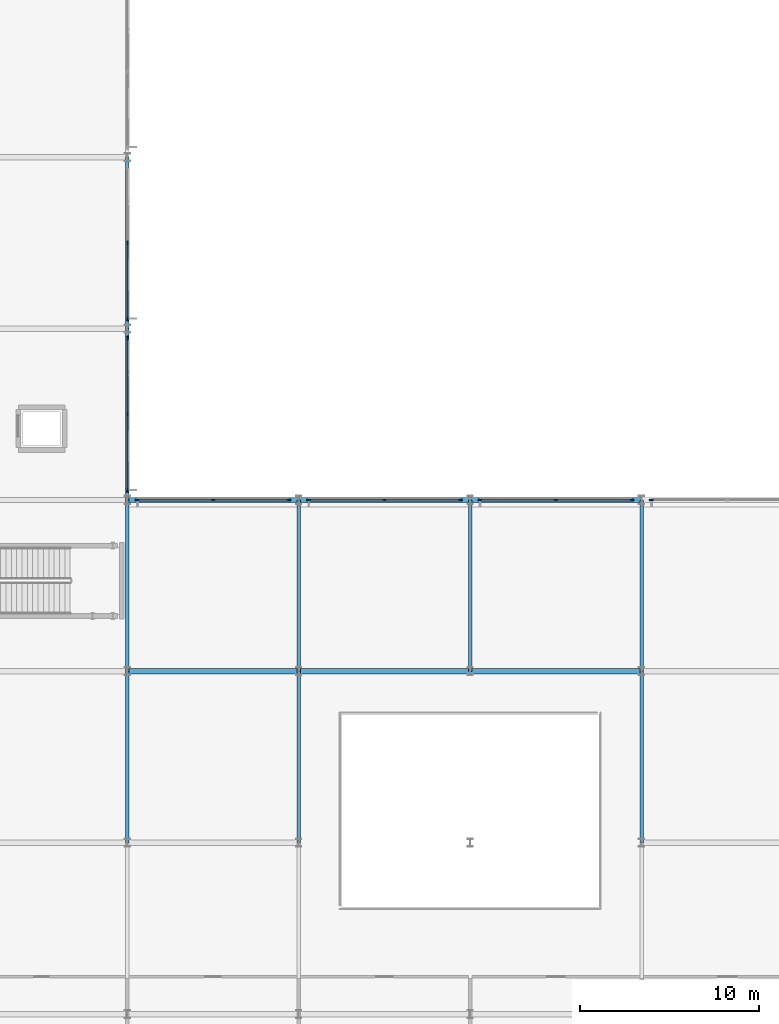
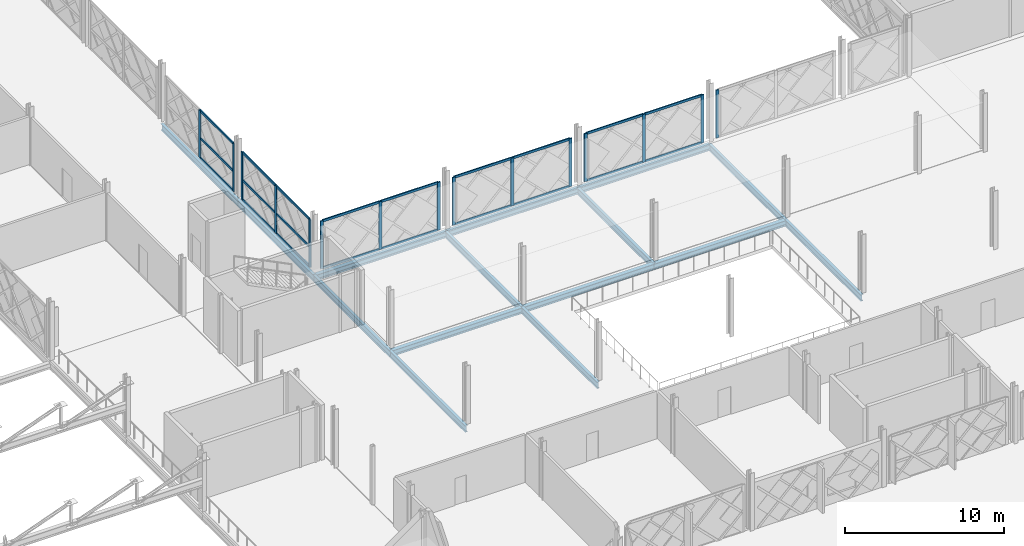
# One storey, part 40 of 101: 36 members, 15 beams, 6 elements without a shape of their own.
"""IFC4 building model written with IfcOpenShell, lengths in metres."""

from ifc_helpers import new_model, si_unit, direction, frame, origin, origin_2d, place, context, subcontext, project, spatial, rectangle, i_section, extrude, material, layer, layer_set, material_profile, profile_set, type_object, element, aggregate, save


model = new_model("IFC4")

# Units and contexts
model_context = context("Model", 3, precision=1e-05, world=origin(), true_north=direction((0.0, 1.0)))
body_context = subcontext(model_context, "Body", "Model", "MODEL_VIEW")
ifc_project = project(units=[si_unit("LENGTHUNIT", "METRE"), si_unit("AREAUNIT", "SQUARE_METRE"), si_unit("VOLUMEUNIT", "CUBIC_METRE"), si_unit("PLANEANGLEUNIT", "RADIAN"), si_unit("MASSUNIT", "GRAM", prefix="KILO")], contexts=[model_context])

# Site, building, storey
site_placement = place(None, origin())
site = spatial("IfcSite", under=ifc_project, at=site_placement, CompositionType="ELEMENT")
building_placement = place(site_placement, origin())
building = spatial("IfcBuilding", under=site, at=building_placement, Name="Zevrakil Square Congress Hotel", CompositionType="ELEMENT")
storey_placement = place(building_placement, frame((0.0, 0.0, 5.39990234375)))
storey = spatial("IfcBuildingStorey", under=building, at=storey_placement, Name="L02", CompositionType="ELEMENT", Elevation=5.39990234375)

# Beams
ifc_material_1 = material(Name="Steel S355", Category="steel")
ifc_material_profile_1 = material_profile(ifc_material_1, i_section(OverallWidth=0.300048828125, OverallDepth=0.43994140625, WebThickness=0.011474609375, FlangeThickness=0.02099609375, FilletRadius=0.027099609375, at=origin_2d()), Name="HEA 450")
ifc_profile_set_1 = profile_set([ifc_material_profile_1], Name="Steel S355")
beam_type_1 = type_object("IfcBeamType", Name="BM-HEA450", PredefinedType="BEAM", material=ifc_profile_set_1)
beam_1_placement = place(storey_placement, frame((64.800048828125, 36.0, -0.47998046875), z_axis=(1.0, 0.0, 0.0), x_axis=(0.0, 1.0, 0.0)))
element("IfcBeam", 1, at=beam_1_placement, inside=storey, type_object=beam_type_1, Name="L02 primary girder BX-0721", PredefinedType="BEAM", context=body_context, shape_type="SweptSolid", body=[
    extrude(i_section(OverallWidth=0.300048828125, OverallDepth=0.43994140625, WebThickness=0.011474609375, FlangeThickness=0.02099609375, FilletRadius=0.027099609375, at=origin_2d()), origin(), (0.0, 0.0, 1.0), 9.599853515625),
])
for number, where, z_axis, x_axis, name in (
    (2, (74.39990234375, 36.0, -0.47998046875), (1.0, 0.0, 0.0), (0.0, 1.0, 0.0), "L02 primary girder BX-0722"),
    (3, (84.0, 36.0, -0.47998046875), (1.0, 0.0, 0.0), (0.0, 1.0, 0.0), "L02 primary girder BX-0723"),
):
    element("IfcBeam", number, at=place(storey_placement, frame(where, z_axis=z_axis, x_axis=x_axis)), inside=storey, type_object=beam_type_1, Name=name, PredefinedType="BEAM", context=body_context, shape_type="SweptSolid", body=[
        extrude(i_section(OverallWidth=0.300048828125, OverallDepth=0.43994140625, WebThickness=0.011474609375, FlangeThickness=0.02099609375, FilletRadius=0.027099609375, at=origin_2d()), origin(), (0.0, 0.0, 1.0), 9.60009765625),
    ])
beam_2_placement = place(storey_placement, frame((64.800048828125, 45.60009765625, -0.47998046875), z_axis=(1.0, 0.0, 0.0), x_axis=(0.0, 1.0, 0.0)))
element("IfcBeam", 4, at=beam_2_placement, inside=storey, type_object=beam_type_1, Name="L02 primary girder BX-0738", PredefinedType="BEAM", context=body_context, shape_type="SweptSolid", body=[
    extrude(i_section(OverallWidth=0.300048828125, OverallDepth=0.43994140625, WebThickness=0.011474609375, FlangeThickness=0.02099609375, FilletRadius=0.027099609375, at=origin_2d()), origin(), (0.0, 0.0, 1.0), 9.599853515625),
])
for number, where, z_axis, x_axis, name in (
    (5, (74.39990234375, 45.60009765625, -0.47998046875), (1.0, 0.0, 0.0), (0.0, 1.0, 0.0), "L02 primary girder BX-0739"),
    (6, (84.0, 45.60009765625, -0.47998046875), (1.0, 0.0, 0.0), (0.0, 1.0, 0.0), "L02 primary girder BX-0740"),
):
    element("IfcBeam", number, at=place(storey_placement, frame(where, z_axis=z_axis, x_axis=x_axis)), inside=storey, type_object=beam_type_1, Name=name, PredefinedType="BEAM", context=body_context, shape_type="SweptSolid", body=[
        extrude(i_section(OverallWidth=0.300048828125, OverallDepth=0.43994140625, WebThickness=0.011474609375, FlangeThickness=0.02099609375, FilletRadius=0.027099609375, at=origin_2d()), origin(), (0.0, 0.0, 1.0), 9.60009765625),
    ])
ifc_material_2 = material(Name="Steel S355", Category="steel")
ifc_material_profile_2 = material_profile(ifc_material_2, i_section(OverallWidth=0.199951171875, OverallDepth=0.5, WebThickness=0.01025390625, FlangeThickness=0.01611328125, FilletRadius=0.02099609375, at=origin_2d()), Name="IPE 500")
ifc_profile_set_2 = profile_set([ifc_material_profile_2], Name="Steel S355")
beam_type_2 = type_object("IfcBeamType", Name="BM-IPE500", PredefinedType="BEAM", material=ifc_profile_set_2)
for number, where, z_axis, x_axis, name in (
    (7, (64.800048828125, 26.39990234375, -0.510009765625), (0.0, 1.0, 0.0), (-1.0, 0.0, 0.0), "L02 primary girder BY-0869"),
    (8, (64.800048828125, 36.0, -0.510009765625), (0.0, 1.0, 0.0), (-1.0, 0.0, 0.0), "L02 primary girder BY-0870"),
):
    element("IfcBeam", number, at=place(storey_placement, frame(where, z_axis=z_axis, x_axis=x_axis)), inside=storey, type_object=beam_type_2, Name=name, PredefinedType="BEAM", context=body_context, shape_type="SweptSolid", body=[
        extrude(i_section(OverallWidth=0.199951171875, OverallDepth=0.5, WebThickness=0.01025390625, FlangeThickness=0.01611328125, FilletRadius=0.02099609375, at=origin_2d()), origin(), (0.0, 0.0, 1.0), 9.60009765625),
    ])
beam_3_placement = place(storey_placement, frame((64.800048828125, 45.60009765625, -0.510009765625), z_axis=(0.0, 1.0, 0.0), x_axis=(-1.0, 0.0, 0.0)))
element("IfcBeam", 9, at=beam_3_placement, inside=storey, type_object=beam_type_2, Name="L02 primary girder BY-0871", PredefinedType="BEAM", context=body_context, shape_type="SweptSolid", body=[
    extrude(i_section(OverallWidth=0.199951171875, OverallDepth=0.5, WebThickness=0.01025390625, FlangeThickness=0.01611328125, FilletRadius=0.02099609375, at=origin_2d()), origin(), (0.0, 0.0, 1.0), 9.599853515625),
])
for number, where, z_axis, x_axis, name in (
    (10, (64.800048828125, 55.199951171875, -0.510009765625), (0.0, 1.0, 0.0), (-1.0, 0.0, 0.0), "L02 primary girder BY-0872"),
    (11, (74.39990234375, 26.39990234375, -0.510009765625), (0.0, 1.0, 0.0), (-1.0, 0.0, 0.0), "L02 primary girder BY-0881"),
    (12, (74.39990234375, 36.0, -0.510009765625), (0.0, 1.0, 0.0), (-1.0, 0.0, 0.0), "L02 primary girder BY-0882"),
    (13, (84.0, 36.0, -0.510009765625), (0.0, 1.0, 0.0), (-1.0, 0.0, 0.0), "L02 primary girder BY-0888"),
    (14, (93.60009765625, 26.39990234375, -0.510009765625), (0.0, 1.0, 0.0), (-1.0, 0.0, 0.0), "L02 primary girder BY-0895"),
    (15, (93.60009765625, 36.0, -0.510009765625), (0.0, 1.0, 0.0), (-1.0, 0.0, 0.0), "L02 primary girder BY-0896"),
):
    element("IfcBeam", number, at=place(storey_placement, frame(where, z_axis=z_axis, x_axis=x_axis)), inside=storey, type_object=beam_type_2, Name=name, PredefinedType="BEAM", context=body_context, shape_type="SweptSolid", body=[
        extrude(i_section(OverallWidth=0.199951171875, OverallDepth=0.5, WebThickness=0.01025390625, FlangeThickness=0.01611328125, FilletRadius=0.02099609375, at=origin_2d()), origin(), (0.0, 0.0, 1.0), 9.60009765625),
    ])

# Curtain wall, members
ifc_material_3 = material(Name="Aluminium Anodised Bronze", Category="aluminium")
ifc_layer = layer(ifc_material_3, 0.179931640625)
ifc_layer_set = layer_set([ifc_layer], Name="Aluminium Anodised Bronze")
curtain_wall_type = type_object("IfcCurtainWallType", Name="CW-L02-840", PredefinedType="USERDEFINED", material=ifc_layer_set)
curtain_wall_1_placement = place(storey_placement, origin())
curtain_wall_1 = element("IfcCurtainWall", 16, at=curtain_wall_1_placement, inside=storey, type_object=curtain_wall_type, Name="L02 diamond curtain wall CW-L02-0099", ObjectType="GLAZED CURTAIN WALL", PredefinedType="USERDEFINED")
ifc_material_4 = material(Name="Aluminium Anodised Bronze", Category="aluminium")
ifc_material_profile_3 = material_profile(ifc_material_4, rectangle(XDim=0.0849609375, YDim=0.179931640625, at=origin_2d()), Name="ALU 85x180")
ifc_profile_set_3 = profile_set([ifc_material_profile_3], Name="Aluminium Anodised Bronze")
member_type_1 = type_object("IfcMemberType", Name="CWM-ALU85x180", PredefinedType="USERDEFINED", material=ifc_profile_set_3)
member_1_placement = place(storey_placement, frame((65.3798828125, 45.60009765625, 0.030029296875), z_axis=(1.0, 0.0, 0.0), x_axis=(0.0, 1.0, 0.0)))
member_1 = element("IfcMember", 17, at=member_1_placement, type_object=member_type_1, Name="CW-23 transom 1.1", ObjectType="TRANSOM", PredefinedType="USERDEFINED", context=body_context, shape_type="SweptSolid", body=[
    extrude(rectangle(XDim=0.0849609375, YDim=0.179931640625, at=origin_2d()), origin(), (0.0, 0.0, 1.0), 4.190185546875),
])
member_2_placement = place(storey_placement, frame((65.3798828125, 45.60009765625, 3.655029296875), z_axis=(1.0, 0.0, 0.0), x_axis=(0.0, 1.0, 0.0)))
member_2 = element("IfcMember", 18, at=member_2_placement, type_object=member_type_1, Name="CW-23 transom 1.2", ObjectType="TRANSOM", PredefinedType="USERDEFINED", context=body_context, shape_type="SweptSolid", body=[
    extrude(rectangle(XDim=0.0849609375, YDim=0.179931640625, at=origin_2d()), origin(), (0.0, 0.0, 1.0), 4.190185546875),
])
member_3_placement = place(storey_placement, frame((69.6298828125, 45.60009765625, 0.030029296875), z_axis=(1.0, 0.0, 0.0), x_axis=(0.0, 1.0, 0.0)))
member_3 = element("IfcMember", 19, at=member_3_placement, type_object=member_type_1, Name="CW-23 transom 2.1", ObjectType="TRANSOM", PredefinedType="USERDEFINED", context=body_context, shape_type="SweptSolid", body=[
    extrude(rectangle(XDim=0.0849609375, YDim=0.179931640625, at=origin_2d()), origin(), (0.0, 0.0, 1.0), 4.190185546875),
])
member_4_placement = place(storey_placement, frame((69.6298828125, 45.60009765625, 3.655029296875), z_axis=(1.0, 0.0, 0.0), x_axis=(0.0, 1.0, 0.0)))
member_4 = element("IfcMember", 20, at=member_4_placement, type_object=member_type_1, Name="CW-23 transom 2.2", ObjectType="TRANSOM", PredefinedType="USERDEFINED", context=body_context, shape_type="SweptSolid", body=[
    extrude(rectangle(XDim=0.0849609375, YDim=0.179931640625, at=origin_2d()), origin(), (0.0, 0.0, 1.0), 4.190185546875),
])

curtain_wall_2_placement = place(storey_placement, origin())
curtain_wall_2 = element("IfcCurtainWall", 21, at=curtain_wall_2_placement, inside=storey, type_object=curtain_wall_type, Name="L02 diamond curtain wall CW-L02-0103", ObjectType="GLAZED CURTAIN WALL", PredefinedType="USERDEFINED")
member_5_placement = place(storey_placement, frame((74.97998046875, 45.60009765625, 0.030029296875), z_axis=(1.0, 0.0, 0.0), x_axis=(0.0, 1.0, 0.0)))
member_5 = element("IfcMember", 22, at=member_5_placement, type_object=member_type_1, Name="CW-23 transom 1.1", ObjectType="TRANSOM", PredefinedType="USERDEFINED", context=body_context, shape_type="SweptSolid", body=[
    extrude(rectangle(XDim=0.0849609375, YDim=0.179931640625, at=origin_2d()), origin(), (0.0, 0.0, 1.0), 4.18994140625),
])
member_6_placement = place(storey_placement, frame((74.97998046875, 45.60009765625, 3.655029296875), z_axis=(1.0, 0.0, 0.0), x_axis=(0.0, 1.0, 0.0)))
member_6 = element("IfcMember", 23, at=member_6_placement, type_object=member_type_1, Name="CW-23 transom 1.2", ObjectType="TRANSOM", PredefinedType="USERDEFINED", context=body_context, shape_type="SweptSolid", body=[
    extrude(rectangle(XDim=0.0849609375, YDim=0.179931640625, at=origin_2d()), origin(), (0.0, 0.0, 1.0), 4.18994140625),
])
member_7_placement = place(storey_placement, frame((79.22998046875, 45.60009765625, 0.030029296875), z_axis=(1.0, 0.0, 0.0), x_axis=(0.0, 1.0, 0.0)))
member_7 = element("IfcMember", 24, at=member_7_placement, type_object=member_type_1, Name="CW-23 transom 2.1", ObjectType="TRANSOM", PredefinedType="USERDEFINED", context=body_context, shape_type="SweptSolid", body=[
    extrude(rectangle(XDim=0.0849609375, YDim=0.179931640625, at=origin_2d()), origin(), (0.0, 0.0, 1.0), 4.18994140625),
])
member_8_placement = place(storey_placement, frame((79.22998046875, 45.60009765625, 3.655029296875), z_axis=(1.0, 0.0, 0.0), x_axis=(0.0, 1.0, 0.0)))
member_8 = element("IfcMember", 25, at=member_8_placement, type_object=member_type_1, Name="CW-23 transom 2.2", ObjectType="TRANSOM", PredefinedType="USERDEFINED", context=body_context, shape_type="SweptSolid", body=[
    extrude(rectangle(XDim=0.0849609375, YDim=0.179931640625, at=origin_2d()), origin(), (0.0, 0.0, 1.0), 4.18994140625),
])

curtain_wall_3_placement = place(storey_placement, origin())
curtain_wall_3 = element("IfcCurtainWall", 26, at=curtain_wall_3_placement, inside=storey, type_object=curtain_wall_type, Name="L02 diamond curtain wall CW-L02-0107", ObjectType="GLAZED CURTAIN WALL", PredefinedType="USERDEFINED")
member_9_placement = place(storey_placement, frame((84.580078125, 45.60009765625, 0.030029296875), z_axis=(1.0, 0.0, 0.0), x_axis=(0.0, 1.0, 0.0)))
member_9 = element("IfcMember", 27, at=member_9_placement, type_object=member_type_1, Name="CW-23 transom 1.1", ObjectType="TRANSOM", PredefinedType="USERDEFINED", context=body_context, shape_type="SweptSolid", body=[
    extrude(rectangle(XDim=0.0849609375, YDim=0.179931640625, at=origin_2d()), origin(), (0.0, 0.0, 1.0), 4.18994140625),
])
member_10_placement = place(storey_placement, frame((84.580078125, 45.60009765625, 3.655029296875), z_axis=(1.0, 0.0, 0.0), x_axis=(0.0, 1.0, 0.0)))
member_10 = element("IfcMember", 28, at=member_10_placement, type_object=member_type_1, Name="CW-23 transom 1.2", ObjectType="TRANSOM", PredefinedType="USERDEFINED", context=body_context, shape_type="SweptSolid", body=[
    extrude(rectangle(XDim=0.0849609375, YDim=0.179931640625, at=origin_2d()), origin(), (0.0, 0.0, 1.0), 4.18994140625),
])
member_11_placement = place(storey_placement, frame((88.830078125, 45.60009765625, 0.030029296875), z_axis=(1.0, 0.0, 0.0), x_axis=(0.0, 1.0, 0.0)))
member_11 = element("IfcMember", 29, at=member_11_placement, type_object=member_type_1, Name="CW-23 transom 2.1", ObjectType="TRANSOM", PredefinedType="USERDEFINED", context=body_context, shape_type="SweptSolid", body=[
    extrude(rectangle(XDim=0.0849609375, YDim=0.179931640625, at=origin_2d()), origin(), (0.0, 0.0, 1.0), 4.18994140625),
])
member_12_placement = place(storey_placement, frame((88.830078125, 45.60009765625, 3.655029296875), z_axis=(1.0, 0.0, 0.0), x_axis=(0.0, 1.0, 0.0)))
member_12 = element("IfcMember", 30, at=member_12_placement, type_object=member_type_1, Name="CW-23 transom 2.2", ObjectType="TRANSOM", PredefinedType="USERDEFINED", context=body_context, shape_type="SweptSolid", body=[
    extrude(rectangle(XDim=0.0849609375, YDim=0.179931640625, at=origin_2d()), origin(), (0.0, 0.0, 1.0), 4.18994140625),
])

curtain_wall_4_placement = place(storey_placement, origin())
curtain_wall_4 = element("IfcCurtainWall", 31, at=curtain_wall_4_placement, inside=storey, type_object=curtain_wall_type, Name="L02 diamond curtain wall CW-L02-0120", ObjectType="GLAZED CURTAIN WALL", PredefinedType="USERDEFINED")
member_13_placement = place(storey_placement, frame((64.800048828125, 46.179931640625, 0.030029296875), z_axis=(0.0, 1.0, 0.0), x_axis=(-1.0, 0.0, 0.0)))
member_13 = element("IfcMember", 32, at=member_13_placement, type_object=member_type_1, Name="CW-23 transom 1.1", ObjectType="TRANSOM", PredefinedType="USERDEFINED", context=body_context, shape_type="SweptSolid", body=[
    extrude(rectangle(XDim=0.0849609375, YDim=0.179931640625, at=origin_2d()), origin(), (0.0, 0.0, 1.0), 4.190185546875),
])
member_14_placement = place(storey_placement, frame((64.800048828125, 46.179931640625, 1.543701171875), z_axis=(0.0, 1.0, 0.0), x_axis=(-1.0, 0.0, 0.0)))
member_14 = element("IfcMember", 33, at=member_14_placement, type_object=member_type_1, Name="CW-23 transom 1.2", ObjectType="TRANSOM", PredefinedType="USERDEFINED", context=body_context, shape_type="SweptSolid", body=[
    extrude(rectangle(XDim=0.0849609375, YDim=0.179931640625, at=origin_2d()), origin(), (0.0, 0.0, 1.0), 4.190185546875),
])
member_15_placement = place(storey_placement, frame((64.800048828125, 46.179931640625, 3.64501953125), z_axis=(0.0, 1.0, 0.0), x_axis=(-1.0, 0.0, 0.0)))
member_15 = element("IfcMember", 34, at=member_15_placement, type_object=member_type_1, Name="CW-23 transom 1.3", ObjectType="TRANSOM", PredefinedType="USERDEFINED", context=body_context, shape_type="SweptSolid", body=[
    extrude(rectangle(XDim=0.0849609375, YDim=0.179931640625, at=origin_2d()), origin(), (0.0, 0.0, 1.0), 4.190185546875),
])
member_16_placement = place(storey_placement, frame((64.800048828125, 50.429931640625, 0.030029296875), z_axis=(0.0, 1.0, 0.0), x_axis=(-1.0, 0.0, 0.0)))
member_16 = element("IfcMember", 35, at=member_16_placement, type_object=member_type_1, Name="CW-23 transom 2.1", ObjectType="TRANSOM", PredefinedType="USERDEFINED", context=body_context, shape_type="SweptSolid", body=[
    extrude(rectangle(XDim=0.0849609375, YDim=0.179931640625, at=origin_2d()), origin(), (0.0, 0.0, 1.0), 4.190185546875),
])
member_17_placement = place(storey_placement, frame((64.800048828125, 50.429931640625, 1.543701171875), z_axis=(0.0, 1.0, 0.0), x_axis=(-1.0, 0.0, 0.0)))
member_17 = element("IfcMember", 36, at=member_17_placement, type_object=member_type_1, Name="CW-23 transom 2.2", ObjectType="TRANSOM", PredefinedType="USERDEFINED", context=body_context, shape_type="SweptSolid", body=[
    extrude(rectangle(XDim=0.0849609375, YDim=0.179931640625, at=origin_2d()), origin(), (0.0, 0.0, 1.0), 4.190185546875),
])
member_18_placement = place(storey_placement, frame((64.800048828125, 50.429931640625, 3.64501953125), z_axis=(0.0, 1.0, 0.0), x_axis=(-1.0, 0.0, 0.0)))
member_18 = element("IfcMember", 37, at=member_18_placement, type_object=member_type_1, Name="CW-23 transom 2.3", ObjectType="TRANSOM", PredefinedType="USERDEFINED", context=body_context, shape_type="SweptSolid", body=[
    extrude(rectangle(XDim=0.0849609375, YDim=0.179931640625, at=origin_2d()), origin(), (0.0, 0.0, 1.0), 4.190185546875),
])

curtain_wall_5_placement = place(storey_placement, origin())
curtain_wall_5 = element("IfcCurtainWall", 38, at=curtain_wall_5_placement, inside=storey, type_object=curtain_wall_type, Name="L02 diamond curtain wall CW-L02-0126", ObjectType="GLAZED CURTAIN WALL", PredefinedType="USERDEFINED")
member_19_placement = place(storey_placement, frame((64.800048828125, 55.780029296875, 0.030029296875), z_axis=(0.0, 1.0, 0.0), x_axis=(-1.0, 0.0, 0.0)))
member_19 = element("IfcMember", 39, at=member_19_placement, type_object=member_type_1, Name="CW-23 transom 1.1", ObjectType="TRANSOM", PredefinedType="USERDEFINED", context=body_context, shape_type="SweptSolid", body=[
    extrude(rectangle(XDim=0.0849609375, YDim=0.179931640625, at=origin_2d()), origin(), (0.0, 0.0, 1.0), 4.18994140625),
])
member_20_placement = place(storey_placement, frame((64.800048828125, 55.780029296875, 1.543701171875), z_axis=(0.0, 1.0, 0.0), x_axis=(-1.0, 0.0, 0.0)))
member_20 = element("IfcMember", 40, at=member_20_placement, type_object=member_type_1, Name="CW-23 transom 1.2", ObjectType="TRANSOM", PredefinedType="USERDEFINED", context=body_context, shape_type="SweptSolid", body=[
    extrude(rectangle(XDim=0.0849609375, YDim=0.179931640625, at=origin_2d()), origin(), (0.0, 0.0, 1.0), 4.18994140625),
])
member_21_placement = place(storey_placement, frame((64.800048828125, 55.780029296875, 3.64501953125), z_axis=(0.0, 1.0, 0.0), x_axis=(-1.0, 0.0, 0.0)))
member_21 = element("IfcMember", 41, at=member_21_placement, type_object=member_type_1, Name="CW-23 transom 1.3", ObjectType="TRANSOM", PredefinedType="USERDEFINED", context=body_context, shape_type="SweptSolid", body=[
    extrude(rectangle(XDim=0.0849609375, YDim=0.179931640625, at=origin_2d()), origin(), (0.0, 0.0, 1.0), 4.18994140625),
])

# Member
ifc_material_5 = material(Name="Aluminium Anodised Bronze", Category="aluminium")
ifc_material_profile_4 = material_profile(ifc_material_5, rectangle(XDim=0.0849609375, YDim=0.219970703125, at=origin_2d()), Name="ALU 85x220")
ifc_profile_set_4 = profile_set([ifc_material_profile_4], Name="Aluminium Anodised Bronze")
member_type_2 = type_object("IfcMemberType", Name="CWM-ALU85x220", PredefinedType="MULLION", material=ifc_profile_set_4)
member_22_placement = place(storey_placement, frame((65.35009765625, 45.60009765625, 0.0), z_axis=(0.0, 0.0, 1.0), x_axis=(0.0, 1.0, 0.0)))
member_22 = element("IfcMember", 42, at=member_22_placement, type_object=member_type_2, Name="CW-23 mullion 1", PredefinedType="MULLION", context=body_context, shape_type="SweptSolid", body=[
    extrude(rectangle(XDim=0.0849609375, YDim=0.219970703125, at=origin_2d()), origin(), (0.0, 0.0, 1.0), 3.68505859375),
])

member_23_placement = place(storey_placement, frame((69.60009765625, 45.60009765625, 0.0), z_axis=(0.0, 0.0, 1.0), x_axis=(0.0, 1.0, 0.0)))
member_23 = element("IfcMember", 43, at=member_23_placement, type_object=member_type_2, Name="CW-23 mullion 2", PredefinedType="MULLION", context=body_context, shape_type="SweptSolid", body=[
    extrude(rectangle(XDim=0.0849609375, YDim=0.219970703125, at=origin_2d()), origin(), (0.0, 0.0, 1.0), 3.68505859375),
])

member_24_placement = place(storey_placement, frame((73.85009765625, 45.60009765625, 0.0), z_axis=(0.0, 0.0, 1.0), x_axis=(0.0, 1.0, 0.0)))
member_24 = element("IfcMember", 44, at=member_24_placement, type_object=member_type_2, Name="CW-23 mullion 3", PredefinedType="MULLION", context=body_context, shape_type="SweptSolid", body=[
    extrude(rectangle(XDim=0.0849609375, YDim=0.219970703125, at=origin_2d()), origin(), (0.0, 0.0, 1.0), 3.68505859375),
])

aggregate(curtain_wall_1, [member_22, member_23, member_24, member_1, member_2, member_3, member_4])

member_25_placement = place(storey_placement, frame((74.949951171875, 45.60009765625, 0.0), z_axis=(0.0, 0.0, 1.0), x_axis=(0.0, 1.0, 0.0)))
member_25 = element("IfcMember", 45, at=member_25_placement, type_object=member_type_2, Name="CW-23 mullion 1", PredefinedType="MULLION", context=body_context, shape_type="SweptSolid", body=[
    extrude(rectangle(XDim=0.0849609375, YDim=0.219970703125, at=origin_2d()), origin(), (0.0, 0.0, 1.0), 3.68505859375),
])

member_26_placement = place(storey_placement, frame((79.199951171875, 45.60009765625, 0.0), z_axis=(0.0, 0.0, 1.0), x_axis=(0.0, 1.0, 0.0)))
member_26 = element("IfcMember", 46, at=member_26_placement, type_object=member_type_2, Name="CW-23 mullion 2", PredefinedType="MULLION", context=body_context, shape_type="SweptSolid", body=[
    extrude(rectangle(XDim=0.0849609375, YDim=0.219970703125, at=origin_2d()), origin(), (0.0, 0.0, 1.0), 3.68505859375),
])

member_27_placement = place(storey_placement, frame((83.449951171875, 45.60009765625, 0.0), z_axis=(0.0, 0.0, 1.0), x_axis=(0.0, 1.0, 0.0)))
member_27 = element("IfcMember", 47, at=member_27_placement, type_object=member_type_2, Name="CW-23 mullion 3", PredefinedType="MULLION", context=body_context, shape_type="SweptSolid", body=[
    extrude(rectangle(XDim=0.0849609375, YDim=0.219970703125, at=origin_2d()), origin(), (0.0, 0.0, 1.0), 3.68505859375),
])

aggregate(curtain_wall_2, [member_25, member_26, member_27, member_5, member_6, member_7, member_8])

member_28_placement = place(storey_placement, frame((84.550048828125, 45.60009765625, 0.0), z_axis=(0.0, 0.0, 1.0), x_axis=(0.0, 1.0, 0.0)))
member_28 = element("IfcMember", 48, at=member_28_placement, type_object=member_type_2, Name="CW-23 mullion 1", PredefinedType="MULLION", context=body_context, shape_type="SweptSolid", body=[
    extrude(rectangle(XDim=0.0849609375, YDim=0.219970703125, at=origin_2d()), origin(), (0.0, 0.0, 1.0), 3.68505859375),
])

member_29_placement = place(storey_placement, frame((88.800048828125, 45.60009765625, 0.0), z_axis=(0.0, 0.0, 1.0), x_axis=(0.0, 1.0, 0.0)))
member_29 = element("IfcMember", 49, at=member_29_placement, type_object=member_type_2, Name="CW-23 mullion 2", PredefinedType="MULLION", context=body_context, shape_type="SweptSolid", body=[
    extrude(rectangle(XDim=0.0849609375, YDim=0.219970703125, at=origin_2d()), origin(), (0.0, 0.0, 1.0), 3.68505859375),
])

member_30_placement = place(storey_placement, frame((93.050048828125, 45.60009765625, 0.0), z_axis=(0.0, 0.0, 1.0), x_axis=(0.0, 1.0, 0.0)))
member_30 = element("IfcMember", 50, at=member_30_placement, type_object=member_type_2, Name="CW-23 mullion 3", PredefinedType="MULLION", context=body_context, shape_type="SweptSolid", body=[
    extrude(rectangle(XDim=0.0849609375, YDim=0.219970703125, at=origin_2d()), origin(), (0.0, 0.0, 1.0), 3.68505859375),
])

aggregate(curtain_wall_3, [member_28, member_29, member_30, member_9, member_10, member_11, member_12])

# Curtain wall, member
curtain_wall_6_placement = place(storey_placement, origin())
curtain_wall_6 = element("IfcCurtainWall", 51, at=curtain_wall_6_placement, inside=storey, type_object=curtain_wall_type, Name="L02 diamond curtain wall CW-L02-0111", ObjectType="GLAZED CURTAIN WALL", PredefinedType="USERDEFINED")
member_31_placement = place(storey_placement, frame((94.14990234375, 45.60009765625, 0.0), z_axis=(0.0, 0.0, 1.0), x_axis=(0.0, 1.0, 0.0)))
member_31 = element("IfcMember", 52, at=member_31_placement, type_object=member_type_2, Name="CW-23 mullion 1", PredefinedType="MULLION", context=body_context, shape_type="SweptSolid", body=[
    extrude(rectangle(XDim=0.0849609375, YDim=0.219970703125, at=origin_2d()), origin(), (0.0, 0.0, 1.0), 3.68505859375),
])
aggregate(curtain_wall_6, [member_31])

# Member
member_32_placement = place(storey_placement, frame((64.800048828125, 46.14990234375, 0.0), z_axis=(0.0, 0.0, 1.0), x_axis=(-1.0, 0.0, 0.0)))
member_32 = element("IfcMember", 53, at=member_32_placement, type_object=member_type_2, Name="CW-23 mullion 1", PredefinedType="MULLION", context=body_context, shape_type="SweptSolid", body=[
    extrude(rectangle(XDim=0.0849609375, YDim=0.219970703125, at=origin_2d()), origin(), (0.0, 0.0, 1.0), 3.675048828125),
])

member_33_placement = place(storey_placement, frame((64.800048828125, 50.39990234375, 0.0), z_axis=(0.0, 0.0, 1.0), x_axis=(-1.0, 0.0, 0.0)))
member_33 = element("IfcMember", 54, at=member_33_placement, type_object=member_type_2, Name="CW-23 mullion 2", PredefinedType="MULLION", context=body_context, shape_type="SweptSolid", body=[
    extrude(rectangle(XDim=0.0849609375, YDim=0.219970703125, at=origin_2d()), origin(), (0.0, 0.0, 1.0), 3.675048828125),
])

member_34_placement = place(storey_placement, frame((64.800048828125, 54.64990234375, 0.0), z_axis=(0.0, 0.0, 1.0), x_axis=(-1.0, 0.0, 0.0)))
member_34 = element("IfcMember", 55, at=member_34_placement, type_object=member_type_2, Name="CW-23 mullion 3", PredefinedType="MULLION", context=body_context, shape_type="SweptSolid", body=[
    extrude(rectangle(XDim=0.0849609375, YDim=0.219970703125, at=origin_2d()), origin(), (0.0, 0.0, 1.0), 3.675048828125),
])

aggregate(curtain_wall_4, [member_32, member_33, member_34, member_13, member_14, member_15, member_16, member_17, member_18])

member_35_placement = place(storey_placement, frame((64.800048828125, 55.75, 0.0), z_axis=(0.0, 0.0, 1.0), x_axis=(-1.0, 0.0, 0.0)))
member_35 = element("IfcMember", 56, at=member_35_placement, type_object=member_type_2, Name="CW-23 mullion 1", PredefinedType="MULLION", context=body_context, shape_type="SweptSolid", body=[
    extrude(rectangle(XDim=0.0849609375, YDim=0.219970703125, at=origin_2d()), origin(), (0.0, 0.0, 1.0), 3.675048828125),
])

member_36_placement = place(storey_placement, frame((64.800048828125, 60.0, 0.0), z_axis=(0.0, 0.0, 1.0), x_axis=(-1.0, 0.0, 0.0)))
member_36 = element("IfcMember", 57, at=member_36_placement, type_object=member_type_2, Name="CW-23 mullion 2", PredefinedType="MULLION", context=body_context, shape_type="SweptSolid", body=[
    extrude(rectangle(XDim=0.0849609375, YDim=0.219970703125, at=origin_2d()), origin(), (0.0, 0.0, 1.0), 3.675048828125),
])

aggregate(curtain_wall_5, [member_35, member_36, member_19, member_20, member_21])

save(model, "model.ifc")
